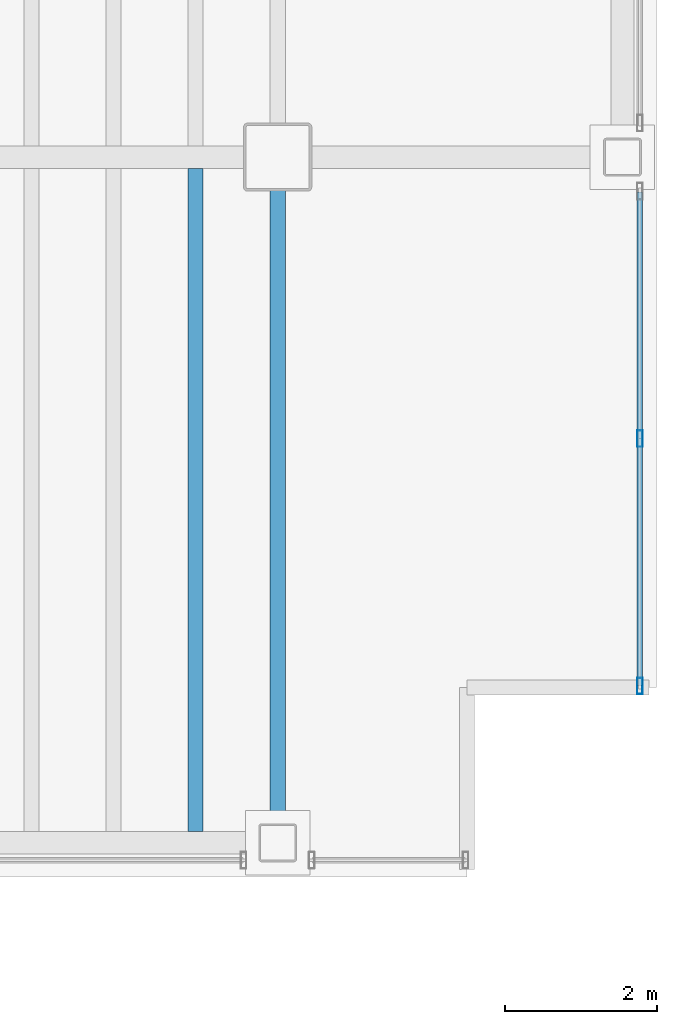
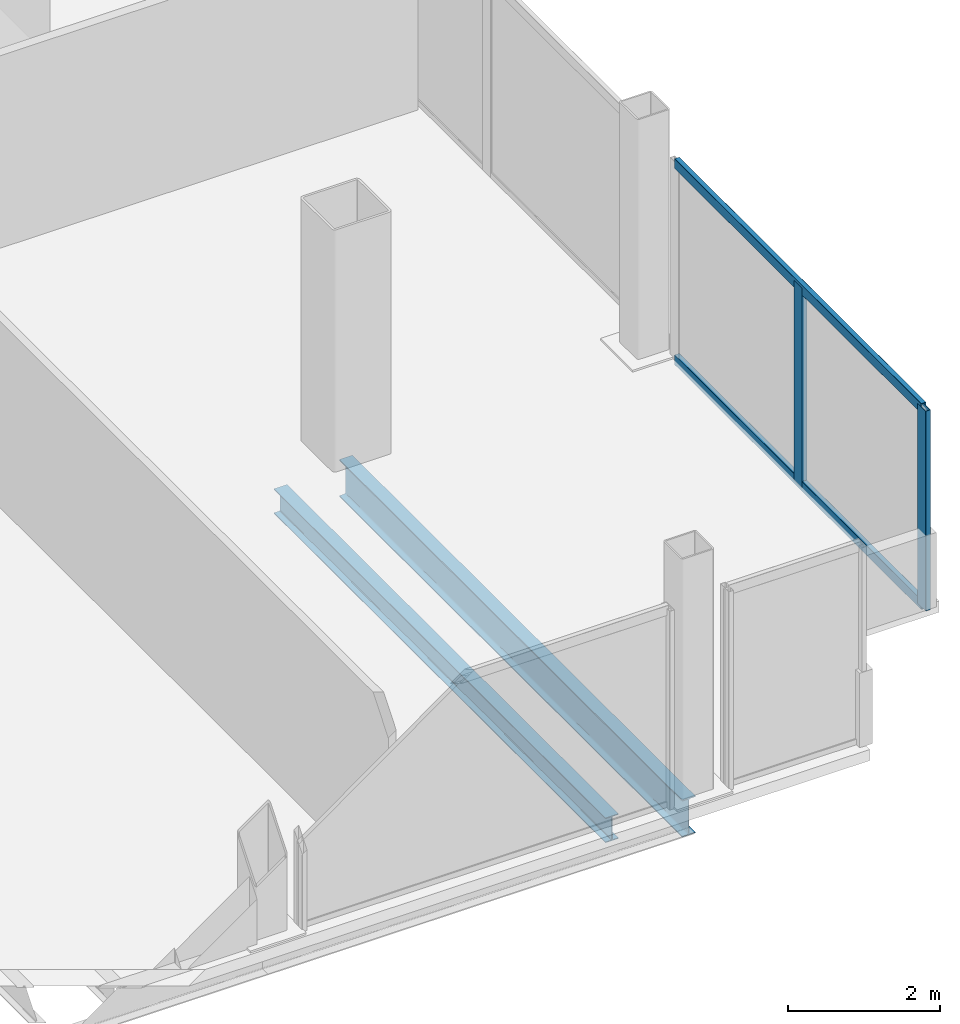
# One storey, part 13 of 20: 4 members, 2 beams, 1 element without a shape of its own.
"""IFC4 building model written with IfcOpenShell, lengths in metres."""

from ifc_helpers import new_model, si_unit, direction, frame, origin, origin_2d, place, context, subcontext, project, spatial, hollow_rectangle, i_section, extrude, material, material_profile, profile_set, type_object, element, aggregate, save


model = new_model("IFC4")

# Units and contexts
model_context = context("Model", 3, precision=1e-05, world=origin(), true_north=direction((0.0, 1.0)))
body_context = subcontext(model_context, "Body", "Model", "MODEL_VIEW")
ifc_project = project(units=[si_unit("LENGTHUNIT", "METRE"), si_unit("AREAUNIT", "SQUARE_METRE"), si_unit("VOLUMEUNIT", "CUBIC_METRE"), si_unit("PLANEANGLEUNIT", "RADIAN"), si_unit("MASSUNIT", "GRAM", prefix="KILO")], contexts=[model_context])

# Site, building, storey
site_placement = place(None, origin())
site = spatial("IfcSite", under=ifc_project, at=site_placement, CompositionType="ELEMENT")
building_placement = place(site_placement, origin())
building = spatial("IfcBuilding", under=site, at=building_placement, Name="Noeulbin Bourse Tower", CompositionType="ELEMENT")
storey_placement = place(building_placement, frame((0.0, 0.0, 122.699951171875)))
storey = spatial("IfcBuildingStorey", under=building, at=storey_placement, Name="L30", CompositionType="ELEMENT", Elevation=122.699951171875)

# Beams
ifc_material_1 = material(Name="Steel S355", Category="steel")
ifc_material_profile_1 = material_profile(ifc_material_1, i_section(OverallWidth=0.199951171875, OverallDepth=0.60009765625, WebThickness=0.010986328125, FlangeThickness=0.01708984375, FilletRadius=0.02197265625, at=origin_2d()), Name="H-600x200x11x17", Category="LoadBearing")
ifc_profile_set_1 = profile_set([ifc_material_profile_1], Name="Steel S355")
beam_type_1 = type_object("IfcBeamType", Name="BM-GRD-600", PredefinedType="USERDEFINED", material=ifc_profile_set_1)
beam_1_placement = place(storey_placement, frame((44.0, 10.949951171875, -0.47998046875), z_axis=(0.0, 1.0, 0.0), x_axis=(-1.0, 0.0, 0.0)))
element("IfcBeam", 1, at=beam_1_placement, inside=storey, type_object=beam_type_1, Name="Tower Primary Girder NS L30-5.1", ObjectType="GIRDER", PredefinedType="USERDEFINED", context=body_context, shape_type="SweptSolid", body=[
    extrude(i_section(OverallWidth=0.199951171875, OverallDepth=0.60009765625, WebThickness=0.010986328125, FlangeThickness=0.01708984375, FilletRadius=0.02197265625, at=origin_2d()), origin(), (0.0, 0.0, 1.0), 9.050048828125),
])
ifc_material_profile_2 = material_profile(ifc_material_1, i_section(OverallWidth=0.199951171875, OverallDepth=0.39990234375, WebThickness=0.008056640625, FlangeThickness=0.012939453125, FilletRadius=0.01611328125, at=origin_2d()), Name="H-400x200x8x13", Category="LoadBearing")
ifc_profile_set_2 = profile_set([ifc_material_profile_2], Name="Steel S355")
beam_type_2 = type_object("IfcBeamType", Name="BM-SEC-400", PredefinedType="BEAM", material=ifc_profile_set_2)
beam_2_placement = place(storey_placement, frame((42.916748046875, 11.10009765625, -0.3798828125), z_axis=(0.0, 1.0, 0.0), x_axis=(-1.0, 0.0, 0.0)))
element("IfcBeam", 2, at=beam_2_placement, inside=storey, type_object=beam_type_2, Name="Tower Composite Joist L30-45", PredefinedType="BEAM", context=body_context, shape_type="SweptSolid", body=[
    extrude(i_section(OverallWidth=0.199951171875, OverallDepth=0.39990234375, WebThickness=0.008056640625, FlangeThickness=0.012939453125, FilletRadius=0.01611328125, at=origin_2d()), origin(), (0.0, 0.0, 1.0), 8.75),
])

# Curtain wall, members
ifc_material_2 = material(Name="Dark Tinted Triple Glazing", Category="glass")
curtain_wall_type = type_object("IfcCurtainWallType", Name="CW-SYS-3", PredefinedType="NOTDEFINED", material=ifc_material_2)
curtain_wall_placement = place(storey_placement, origin())
curtain_wall = element("IfcCurtainWall", 3, at=curtain_wall_placement, inside=storey, type_object=curtain_wall_type, Name="Unitised Curtain Wall CW-L30-E-S1", PredefinedType="NOTDEFINED")
ifc_material_3 = material(Name="Anodised Aluminium 6063-T6", Category="aluminium")
ifc_material_profile_3 = material_profile(ifc_material_3, hollow_rectangle(XDim=0.074951171875, YDim=0.219970703125, WallThickness=0.0048828125, InnerFilletRadius=0.00244140625, OuterFilletRadius=0.0048828125, at=origin_2d()), Name="ALU-MULL-75x220x5", Category="LoadBearing")
ifc_profile_set_3 = profile_set([ifc_material_profile_3], Name="Anodised Aluminium 6063-T6")
member_type_1 = type_object("IfcMemberType", Name="CW-SYS-3-MUL", PredefinedType="MULLION", material=ifc_profile_set_3)
member_1_placement = place(storey_placement, frame((48.780029296875, 13.02001953125, -0.02001953125), z_axis=(0.0, 0.0, 1.0), x_axis=(1.0, 0.0, 0.0)))
member_1 = element("IfcMember", 4, at=member_1_placement, type_object=member_type_1, Name="Curtain Wall Mullion CW-L30-E-S1-M00", PredefinedType="MULLION", context=body_context, shape_type="SweptSolid", body=[
    extrude(hollow_rectangle(XDim=0.074951171875, YDim=0.219970703125, WallThickness=0.0048828125, InnerFilletRadius=0.00244140625, OuterFilletRadius=0.0048828125, at=origin_2d()), origin(), (0.0, 0.0, 1.0), 3.219970703125),
])
member_2_placement = place(storey_placement, frame((48.780029296875, 16.284912109375, -0.02001953125), z_axis=(0.0, 0.0, 1.0), x_axis=(1.0, 0.0, 0.0)))
member_2 = element("IfcMember", 5, at=member_2_placement, type_object=member_type_1, Name="Curtain Wall Mullion CW-L30-E-S1-M01", PredefinedType="MULLION", context=body_context, shape_type="SweptSolid", body=[
    extrude(hollow_rectangle(XDim=0.074951171875, YDim=0.219970703125, WallThickness=0.0048828125, InnerFilletRadius=0.00244140625, OuterFilletRadius=0.0048828125, at=origin_2d()), origin(), (0.0, 0.0, 1.0), 3.219970703125),
])
ifc_material_profile_4 = material_profile(ifc_material_3, hollow_rectangle(XDim=0.074951171875, YDim=0.159912109375, WallThickness=0.0048828125, InnerFilletRadius=0.00244140625, OuterFilletRadius=0.0048828125, at=origin_2d()), Name="ALU-TRAN-75x160x5", Category="LoadBearing")
ifc_profile_set_4 = profile_set([ifc_material_profile_4], Name="Anodised Aluminium 6063-T6")
member_type_2 = type_object("IfcMemberType", Name="CW-SYS-3-TRN", PredefinedType="USERDEFINED", material=ifc_profile_set_4)
member_3_placement = place(storey_placement, frame((48.780029296875, 13.030029296875, 0.010009765625), z_axis=(0.0, 1.0, 0.0), x_axis=(-1.0, 0.0, 0.0)))
member_3 = element("IfcMember", 6, at=member_3_placement, type_object=member_type_2, Name="Curtain Wall Transom CW-L30-E-S1-T00", ObjectType="TRANSOM", PredefinedType="USERDEFINED", context=body_context, shape_type="SweptSolid", body=[
    extrude(hollow_rectangle(XDim=0.074951171875, YDim=0.159912109375, WallThickness=0.0048828125, InnerFilletRadius=0.00244140625, OuterFilletRadius=0.0048828125, at=origin_2d()), origin(), (0.0, 0.0, 1.0), 6.510009765625),
])
member_4_placement = place(storey_placement, frame((48.780029296875, 13.030029296875, 3.170166015625), z_axis=(0.0, 1.0, 0.0), x_axis=(-1.0, 0.0, 0.0)))
member_4 = element("IfcMember", 7, at=member_4_placement, type_object=member_type_2, Name="Curtain Wall Transom CW-L30-E-S1-T01", ObjectType="TRANSOM", PredefinedType="USERDEFINED", context=body_context, shape_type="SweptSolid", body=[
    extrude(hollow_rectangle(XDim=0.074951171875, YDim=0.159912109375, WallThickness=0.0048828125, InnerFilletRadius=0.00244140625, OuterFilletRadius=0.0048828125, at=origin_2d()), origin(), (0.0, 0.0, 1.0), 6.510009765625),
])
aggregate(curtain_wall, [member_1, member_2, member_3, member_4])

save(model, "model.ifc")
